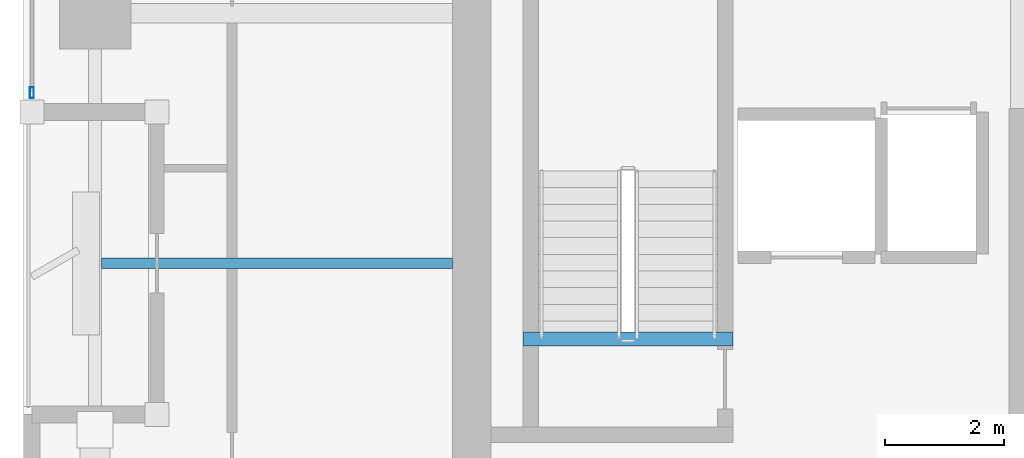
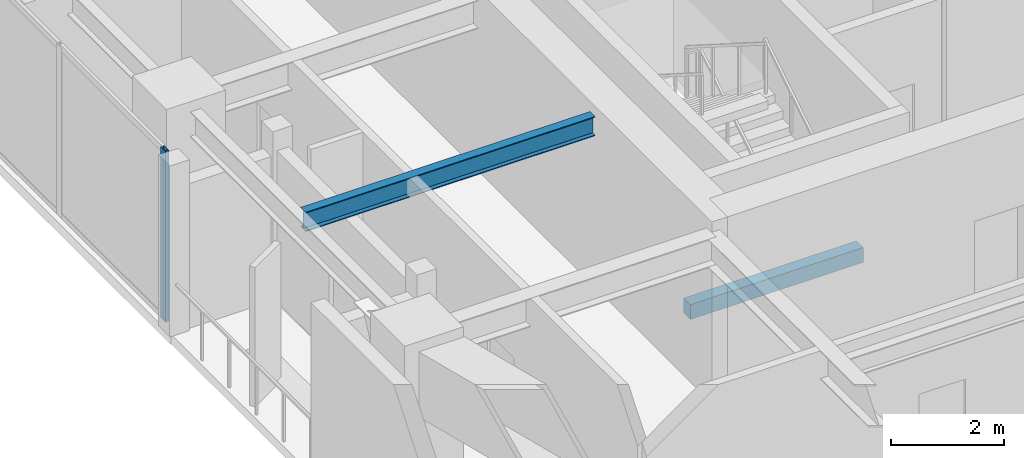
# One storey, part 2 of 21: 2 beams, 1 member, 1 element without a shape of its own.
"""IFC4 building model written with IfcOpenShell, lengths in metres."""

from ifc_helpers import new_model, si_unit, direction, frame, origin, origin_2d, place, context, subcontext, project, spatial, rectangle, hollow_rectangle, i_section, extrude, material, layer, layer_set, material_profile, profile_set, type_object, element, aggregate, save


model = new_model("IFC4")

# Units and contexts
model_context = context("Model", 3, precision=1e-05, world=origin(), true_north=direction((0.0, 1.0)))
body_context = subcontext(model_context, "Body", "Model", "MODEL_VIEW")
ifc_project = project(units=[si_unit("LENGTHUNIT", "METRE"), si_unit("AREAUNIT", "SQUARE_METRE"), si_unit("VOLUMEUNIT", "CUBIC_METRE"), si_unit("PLANEANGLEUNIT", "RADIAN"), si_unit("MASSUNIT", "GRAM", prefix="KILO")], contexts=[model_context])

# Site, building, storey
site_placement = place(None, origin())
site = spatial("IfcSite", under=ifc_project, at=site_placement, CompositionType="ELEMENT")
building_placement = place(site_placement, origin())
building = spatial("IfcBuilding", under=site, at=building_placement, Name="Kiyonajd Concourse Tower", CompositionType="ELEMENT")
storey_placement = place(building_placement, frame((0.0, 0.0, 223.199951171875)))
storey = spatial("IfcBuildingStorey", under=building, at=storey_placement, Name="L56", CompositionType="ELEMENT", Elevation=223.199951171875)

# Beams
ifc_material_1 = material(Name="Steel ASTM A992 Grade 50", Category="steel")
ifc_material_profile_1 = material_profile(ifc_material_1, i_section(OverallWidth=0.180908203125, OverallDepth=0.4169921875, WebThickness=0.010986328125, FlangeThickness=0.018310546875, at=origin_2d()), Name="W410X85")
ifc_profile_set_1 = profile_set([ifc_material_profile_1], Name="Steel ASTM A992 Grade 50")
beam_type_1 = type_object("IfcBeamType", Name="BM-JST-410", PredefinedType="JOIST", material=ifc_profile_set_1)
beam_1_placement = place(storey_placement, frame((26.507080078125, 31.800048828125, 3.471435546875), z_axis=(1.0, 0.0, 0.0), x_axis=(0.0, 1.0, 0.0)))
element("IfcBeam", 1, at=beam_1_placement, inside=storey, type_object=beam_type_1, Name="L56 West Secondary Floor Joist", PredefinedType="JOIST", context=body_context, shape_type="SweptSolid", body=[
    extrude(i_section(OverallWidth=0.180908203125, OverallDepth=0.4169921875, WebThickness=0.010986328125, FlangeThickness=0.018310546875, at=origin_2d()), origin(), (0.0, 0.0, 1.0), 5.892822265625),
])
ifc_material_2 = material(Name="Concrete C50/60", Category="concrete")
ifc_material_profile_2 = material_profile(ifc_material_2, rectangle(XDim=0.239990234375, YDim=0.320068359375, at=origin_2d()), Name="RCBM-240x320")
ifc_profile_set_2 = profile_set([ifc_material_profile_2], Name="Concrete C50/60")
beam_type_2 = type_object("IfcBeamType", Name="BM-LNT-250", PredefinedType="LINTEL", material=ifc_profile_set_2)
beam_2_placement = place(storey_placement, frame((33.590087890625, 30.530029296875, -0.159912109375), z_axis=(1.0, 0.0, 0.0), x_axis=(0.0, 1.0, 0.0)))
element("IfcBeam", 2, at=beam_2_placement, inside=storey, type_object=beam_type_2, Name="L56 Stair ST1 Threshold Support Beam", PredefinedType="LINTEL", context=body_context, shape_type="SweptSolid", body=[
    extrude(rectangle(XDim=0.239990234375, YDim=0.320068359375, at=origin_2d()), origin(), (0.0, 0.0, 1.0), 3.52001953125),
])

# Curtain wall, member
ifc_material_3 = material(Name="Thermally Broken Anodised Aluminium", Category="aluminium")
ifc_layer = layer(ifc_material_3, 0.179931640625)
ifc_layer_set = layer_set([ifc_layer], Name="Thermally Broken Anodised Aluminium")
curtain_wall_type = type_object("IfcCurtainWallType", Name="CW-SYS-04", PredefinedType="NOTDEFINED", material=ifc_layer_set)
curtain_wall_placement = place(storey_placement, origin())
curtain_wall = element("IfcCurtainWall", 3, at=curtain_wall_placement, inside=storey, type_object=curtain_wall_type, Name="L56 Unitised Curtain Wall CW4", PredefinedType="NOTDEFINED")
ifc_material_profile_3 = material_profile(ifc_material_3, hollow_rectangle(XDim=0.06494140625, YDim=0.179931640625, WallThickness=0.00390625, at=origin_2d()), Name="MULL-65x180")
ifc_profile_set_3 = profile_set([ifc_material_profile_3], Name="Thermally Broken Anodised Aluminium")
member_type = type_object("IfcMemberType", Name="MB-CW-MULL1", PredefinedType="MULLION", material=ifc_profile_set_3)
member_placement = place(storey_placement, frame((25.340087890625, 34.66259765625, 0.0), z_axis=(0.0, 0.0, 1.0), x_axis=(-1.0, 0.0, 0.0)))
member = element("IfcMember", 4, at=member_placement, type_object=member_type, Name="CW4 mullion 1", PredefinedType="MULLION", context=body_context, shape_type="SweptSolid", body=[
    extrude(hollow_rectangle(XDim=0.06494140625, YDim=0.179931640625, WallThickness=0.00390625, at=origin_2d()), origin(), (0.0, 0.0, 1.0), 3.679931640625),
])
aggregate(curtain_wall, [member])

save(model, "model.ifc")
